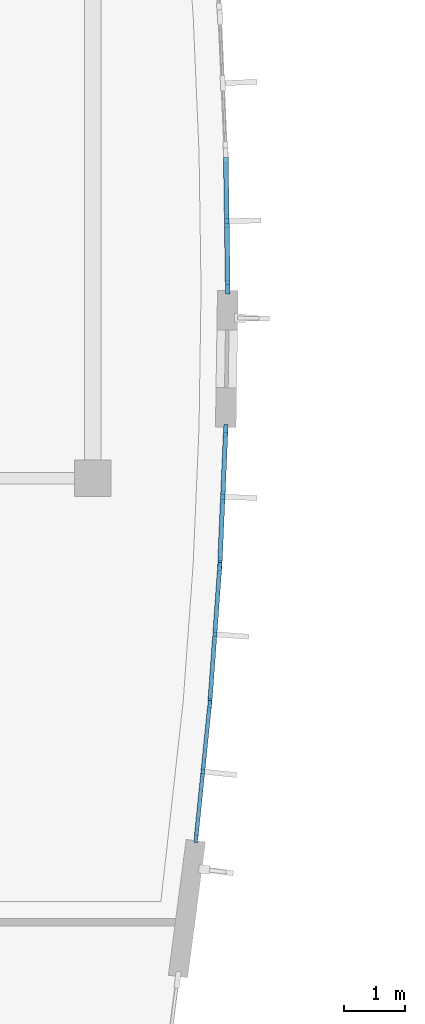
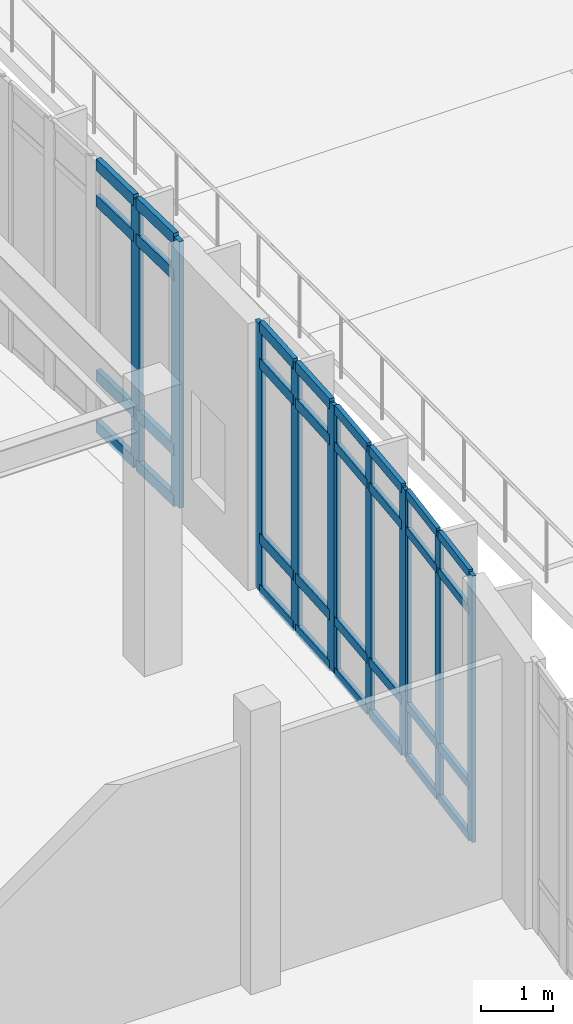
# One storey, part 43 of 120: 43 members, 4 elements without a shape of their own.
"""IFC4 building model written with IfcOpenShell, lengths in metres."""

from ifc_helpers import new_model, si_unit, direction, frame, origin, origin_2d, place, context, subcontext, project, spatial, rectangle, extrude, material, material_profile, profile_set, type_object, element, aggregate, save


model = new_model("IFC4")

# Units and contexts
model_context = context("Model", 3, precision=1e-05, world=origin(), true_north=direction((0.0, 1.0)))
body_context = subcontext(model_context, "Body", "Model", "MODEL_VIEW")
ifc_project = project(units=[si_unit("LENGTHUNIT", "METRE"), si_unit("AREAUNIT", "SQUARE_METRE"), si_unit("VOLUMEUNIT", "CUBIC_METRE"), si_unit("PLANEANGLEUNIT", "RADIAN"), si_unit("MASSUNIT", "GRAM", prefix="KILO")], contexts=[model_context])

# Site, building, storey
site_placement = place(None, origin())
site = spatial("IfcSite", under=ifc_project, at=site_placement, CompositionType="ELEMENT")
building_placement = place(site_placement, origin())
building = spatial("IfcBuilding", under=site, at=building_placement, Name="Corveleigh Park Community Centre", CompositionType="ELEMENT")
storey_placement = place(building_placement, origin())
storey = spatial("IfcBuildingStorey", under=building, at=storey_placement, Name="L00", CompositionType="ELEMENT", Elevation=0.0)

# Curtain wall, members
ifc_material = material(Name="Anodised aluminium 6063-T6", Category="aluminium")
curtain_wall_type = type_object("IfcCurtainWallType", Name="CW-SYS-V2-L00", PredefinedType="NOTDEFINED", material=ifc_material)
curtain_wall_1_placement = place(storey_placement, origin())
curtain_wall_1 = element("IfcCurtainWall", 1, at=curtain_wall_1_placement, inside=storey, type_object=curtain_wall_type, Name="V2 L00 Curtain Wall 37", PredefinedType="NOTDEFINED")
ifc_material_profile_1 = material_profile(ifc_material, rectangle(XDim=0.06005859375, YDim=0.159912109375, at=origin_2d()), Name="ALU-M60x160", Category="aluminium")
ifc_profile_set_1 = profile_set([ifc_material_profile_1], Name="Anodised aluminium 6063-T6")
member_type_1 = type_object("IfcMemberType", Name="CWM-60x160", PredefinedType="MULLION", material=ifc_profile_set_1)
member_1_placement = place(storey_placement, frame((56.321044921875, 89.066162109375, 0.0), z_axis=(0.0, 0.0, 1.0), x_axis=(0.9948506205, -0.101352073938, 0.0)))
member_1 = element("IfcMember", 2, at=member_1_placement, type_object=member_type_1, Name="CW03 mullion 1", PredefinedType="MULLION", context=body_context, shape_type="SweptSolid", body=[
    extrude(rectangle(XDim=0.06005859375, YDim=0.159912109375, at=origin_2d()), origin(), (0.0, 0.0, 1.0), 4.511962890625),
])
member_2_placement = place(storey_placement, frame((56.2099609375, 87.97705078125, 0.0), z_axis=(0.0, 0.0, 1.0), x_axis=(0.9948506205, -0.101352073938, 0.0)))
member_2 = element("IfcMember", 3, at=member_2_placement, type_object=member_type_1, Name="CW03 mullion 2", PredefinedType="MULLION", context=body_context, shape_type="SweptSolid", body=[
    extrude(rectangle(XDim=0.06005859375, YDim=0.159912109375, at=origin_2d()), origin(), (0.0, 0.0, 1.0), 4.511962890625),
])
member_3_placement = place(storey_placement, frame((56.09912109375, 86.887939453125, 0.0), z_axis=(0.0, 0.0, 1.0), x_axis=(0.9948506205, -0.101352073938, 0.0)))
member_3 = element("IfcMember", 4, at=member_3_placement, type_object=member_type_1, Name="CW03 mullion 3", PredefinedType="MULLION", context=body_context, shape_type="SweptSolid", body=[
    extrude(rectangle(XDim=0.06005859375, YDim=0.159912109375, at=origin_2d()), origin(), (0.0, 0.0, 1.0), 4.511962890625),
])

curtain_wall_2_placement = place(storey_placement, origin())
curtain_wall_2 = element("IfcCurtainWall", 5, at=curtain_wall_2_placement, inside=storey, type_object=curtain_wall_type, Name="V2 L00 Curtain Wall 38", PredefinedType="NOTDEFINED")
ifc_material_profile_2 = material_profile(ifc_material, rectangle(XDim=0.06494140625, YDim=0.179931640625, at=origin_2d()), Name="ALU-M65x180", Category="aluminium")
ifc_profile_set_2 = profile_set([ifc_material_profile_2], Name="Anodised aluminium 6063-T6")
member_type_2 = type_object("IfcMemberType", Name="CWM-65x180", PredefinedType="MULLION", material=ifc_profile_set_2)
member_4_placement = place(storey_placement, frame((56.485595703125, 91.32568359375, 0.0), z_axis=(0.0, 0.0, 1.0), x_axis=(0.997404262381, -0.072005120539, 0.0)))
member_4 = element("IfcMember", 6, at=member_4_placement, type_object=member_type_2, Name="CW03 mullion 1", PredefinedType="MULLION", context=body_context, shape_type="SweptSolid", body=[
    extrude(rectangle(XDim=0.06494140625, YDim=0.179931640625, at=origin_2d()), origin(), (0.0, 0.0, 1.0), 4.511962890625),
])
member_5_placement = place(storey_placement, frame((56.406982421875, 90.236083984375, 0.0), z_axis=(0.0, 0.0, 1.0), x_axis=(0.997404262381, -0.072005120539, 0.0)))
member_5 = element("IfcMember", 7, at=member_5_placement, type_object=member_type_2, Name="CW03 mullion 2", PredefinedType="MULLION", context=body_context, shape_type="SweptSolid", body=[
    extrude(rectangle(XDim=0.06494140625, YDim=0.179931640625, at=origin_2d()), origin(), (0.0, 0.0, 1.0), 4.511962890625),
])
member_6_placement = place(storey_placement, frame((56.328369140625, 89.146484375, 0.0), z_axis=(0.0, 0.0, 1.0), x_axis=(0.997404262381, -0.072005120539, 0.0)))
member_6 = element("IfcMember", 8, at=member_6_placement, type_object=member_type_2, Name="CW03 mullion 3", PredefinedType="MULLION", context=body_context, shape_type="SweptSolid", body=[
    extrude(rectangle(XDim=0.06494140625, YDim=0.179931640625, at=origin_2d()), origin(), (0.0, 0.0, 1.0), 4.511962890625),
])

curtain_wall_3_placement = place(storey_placement, origin())
curtain_wall_3 = element("IfcCurtainWall", 9, at=curtain_wall_3_placement, inside=storey, type_object=curtain_wall_type, Name="V2 L00 Curtain Wall 39", PredefinedType="NOTDEFINED")
ifc_material_profile_3 = material_profile(ifc_material, rectangle(XDim=0.070068359375, YDim=0.199951171875, at=origin_2d()), Name="ALU-M70x200", Category="aluminium")
ifc_profile_set_3 = profile_set([ifc_material_profile_3], Name="Anodised aluminium 6063-T6")
member_type_3 = type_object("IfcMemberType", Name="CWM-70x200", PredefinedType="MULLION", material=ifc_profile_set_3)
member_7_placement = place(storey_placement, frame((56.58544921875, 93.588134765625, 0.0), z_axis=(0.0, 0.0, 1.0), x_axis=(0.99905027695, -0.043572286221, 0.0)))
member_7 = element("IfcMember", 10, at=member_7_placement, type_object=member_type_3, Name="CW03 mullion 1", PredefinedType="MULLION", context=body_context, shape_type="SweptSolid", body=[
    extrude(rectangle(XDim=0.070068359375, YDim=0.199951171875, at=origin_2d()), origin(), (0.0, 0.0, 1.0), 4.511962890625),
])
member_8_placement = place(storey_placement, frame((56.5380859375, 92.49951171875, 0.0), z_axis=(0.0, 0.0, 1.0), x_axis=(0.99905027695, -0.043572286221, 0.0)))
member_8 = element("IfcMember", 11, at=member_8_placement, type_object=member_type_3, Name="CW03 mullion 2", PredefinedType="MULLION", context=body_context, shape_type="SweptSolid", body=[
    extrude(rectangle(XDim=0.070068359375, YDim=0.199951171875, at=origin_2d()), origin(), (0.0, 0.0, 1.0), 4.511962890625),
])
member_9_placement = place(storey_placement, frame((56.490478515625, 91.410888671875, 0.0), z_axis=(0.0, 0.0, 1.0), x_axis=(0.99905027695, -0.043572286221, 0.0)))
member_9 = element("IfcMember", 12, at=member_9_placement, type_object=member_type_3, Name="CW03 mullion 3", PredefinedType="MULLION", context=body_context, shape_type="SweptSolid", body=[
    extrude(rectangle(XDim=0.070068359375, YDim=0.199951171875, at=origin_2d()), origin(), (0.0, 0.0, 1.0), 4.511962890625),
])

curtain_wall_4_placement = place(storey_placement, origin())
curtain_wall_4 = element("IfcCurtainWall", 13, at=curtain_wall_4_placement, inside=storey, type_object=curtain_wall_type, Name="V2 L00 Curtain Wall 40", PredefinedType="NOTDEFINED")
ifc_material_profile_4 = material_profile(ifc_material, rectangle(XDim=0.074951171875, YDim=0.219970703125, at=origin_2d()), Name="ALU-M75x220", Category="aluminium")
ifc_profile_set_4 = profile_set([ifc_material_profile_4], Name="Anodised aluminium 6063-T6")
member_type_4 = type_object("IfcMemberType", Name="CWM-75x220", PredefinedType="MULLION", material=ifc_profile_set_4)
member_10_placement = place(storey_placement, frame((56.603515625, 97.033935546875, 0.0), z_axis=(0.0, 0.0, 1.0), x_axis=(0.999892461794, 0.014665089441, 0.0)))
member_10 = element("IfcMember", 14, at=member_10_placement, type_object=member_type_4, Name="CW03 mullion 2", PredefinedType="MULLION", context=body_context, shape_type="SweptSolid", body=[
    extrude(rectangle(XDim=0.074951171875, YDim=0.219970703125, at=origin_2d()), origin(), (0.0, 0.0, 1.0), 4.511962890625),
])
member_11_placement = place(storey_placement, frame((56.619384765625, 95.946533203125, 0.0), z_axis=(0.0, 0.0, 1.0), x_axis=(0.999892461794, 0.014665089441, 0.0)))
member_11 = element("IfcMember", 15, at=member_11_placement, type_object=member_type_4, Name="CW03 mullion 3", PredefinedType="MULLION", context=body_context, shape_type="SweptSolid", body=[
    extrude(rectangle(XDim=0.074951171875, YDim=0.219970703125, at=origin_2d()), origin(), (0.0, 0.0, 1.0), 4.511962890625),
])

# Member
ifc_material_profile_5 = material_profile(ifc_material, rectangle(XDim=0.06494140625, YDim=0.139892578125, at=origin_2d()), Name="ALU-T65x140", Category="aluminium")
ifc_profile_set_5 = profile_set([ifc_material_profile_5], Name="Anodised aluminium 6063-T6")
member_type_5 = type_object("IfcMemberType", Name="CWT-65x140", PredefinedType="USERDEFINED", material=ifc_profile_set_5)
member_12_placement = place(storey_placement, frame((56.31787109375, 89.036376953125, 0.032470703125), z_axis=(-0.101208721121, -0.994865214373, 0.0), x_axis=(0.994865214373, -0.101208721121, 0.0)))
member_12 = element("IfcMember", 16, at=member_12_placement, type_object=member_type_5, Name="CW03 transom 1.1", ObjectType="TRANSOM", PredefinedType="USERDEFINED", context=body_context, shape_type="SweptSolid", body=[
    extrude(rectangle(XDim=0.06494140625, YDim=0.139892578125, at=origin_2d()), origin(), (0.0, 0.0, 1.0), 1.034912109375),
])

member_13_placement = place(storey_placement, frame((56.31787109375, 89.036376953125, 0.89990234375), z_axis=(-0.101208721121, -0.994865214373, 0.0), x_axis=(0.994865214373, -0.101208721121, 0.0)))
member_13 = element("IfcMember", 17, at=member_13_placement, type_object=member_type_5, Name="CW03 transom 1.2", ObjectType="TRANSOM", PredefinedType="USERDEFINED", context=body_context, shape_type="SweptSolid", body=[
    extrude(rectangle(XDim=0.06494140625, YDim=0.139892578125, at=origin_2d()), origin(), (0.0, 0.0, 1.0), 1.034912109375),
])

member_14_placement = place(storey_placement, frame((56.31787109375, 89.036376953125, 3.862060546875), z_axis=(-0.101208721121, -0.994865214373, 0.0), x_axis=(0.994865214373, -0.101208721121, 0.0)))
member_14 = element("IfcMember", 18, at=member_14_placement, type_object=member_type_5, Name="CW03 transom 1.3", ObjectType="TRANSOM", PredefinedType="USERDEFINED", context=body_context, shape_type="SweptSolid", body=[
    extrude(rectangle(XDim=0.06494140625, YDim=0.139892578125, at=origin_2d()), origin(), (0.0, 0.0, 1.0), 1.034912109375),
])

member_15_placement = place(storey_placement, frame((56.31787109375, 89.036376953125, 4.4794921875), z_axis=(-0.101208721121, -0.994865214373, 0.0), x_axis=(0.994865214373, -0.101208721121, 0.0)))
member_15 = element("IfcMember", 19, at=member_15_placement, type_object=member_type_5, Name="CW03 transom 1.4", ObjectType="TRANSOM", PredefinedType="USERDEFINED", context=body_context, shape_type="SweptSolid", body=[
    extrude(rectangle(XDim=0.06494140625, YDim=0.139892578125, at=origin_2d()), origin(), (0.0, 0.0, 1.0), 1.034912109375),
])

member_16_placement = place(storey_placement, frame((56.20703125, 87.947265625, 0.032470703125), z_axis=(-0.101442213962, -0.994841433208, 0.0), x_axis=(0.994841433208, -0.101442213962, 0.0)))
member_16 = element("IfcMember", 20, at=member_16_placement, type_object=member_type_5, Name="CW03 transom 2.1", ObjectType="TRANSOM", PredefinedType="USERDEFINED", context=body_context, shape_type="SweptSolid", body=[
    extrude(rectangle(XDim=0.06494140625, YDim=0.139892578125, at=origin_2d()), origin(), (0.0, 0.0, 1.0), 1.034912109375),
])

member_17_placement = place(storey_placement, frame((56.20703125, 87.947265625, 0.89990234375), z_axis=(-0.101442213962, -0.994841433208, 0.0), x_axis=(0.994841433208, -0.101442213962, 0.0)))
member_17 = element("IfcMember", 21, at=member_17_placement, type_object=member_type_5, Name="CW03 transom 2.2", ObjectType="TRANSOM", PredefinedType="USERDEFINED", context=body_context, shape_type="SweptSolid", body=[
    extrude(rectangle(XDim=0.06494140625, YDim=0.139892578125, at=origin_2d()), origin(), (0.0, 0.0, 1.0), 1.034912109375),
])

member_18_placement = place(storey_placement, frame((56.20703125, 87.947265625, 3.862060546875), z_axis=(-0.101442213962, -0.994841433208, 0.0), x_axis=(0.994841433208, -0.101442213962, 0.0)))
member_18 = element("IfcMember", 22, at=member_18_placement, type_object=member_type_5, Name="CW03 transom 2.3", ObjectType="TRANSOM", PredefinedType="USERDEFINED", context=body_context, shape_type="SweptSolid", body=[
    extrude(rectangle(XDim=0.06494140625, YDim=0.139892578125, at=origin_2d()), origin(), (0.0, 0.0, 1.0), 1.034912109375),
])

member_19_placement = place(storey_placement, frame((56.20703125, 87.947265625, 4.4794921875), z_axis=(-0.101442213962, -0.994841433208, 0.0), x_axis=(0.994841433208, -0.101442213962, 0.0)))
member_19 = element("IfcMember", 23, at=member_19_placement, type_object=member_type_5, Name="CW03 transom 2.4", ObjectType="TRANSOM", PredefinedType="USERDEFINED", context=body_context, shape_type="SweptSolid", body=[
    extrude(rectangle(XDim=0.06494140625, YDim=0.139892578125, at=origin_2d()), origin(), (0.0, 0.0, 1.0), 1.034912109375),
])

aggregate(curtain_wall_1, [member_1, member_2, member_3, member_12, member_13, member_14, member_15, member_16, member_17, member_18, member_19])

ifc_material_profile_6 = material_profile(ifc_material, rectangle(XDim=0.070068359375, YDim=0.155029296875, at=origin_2d()), Name="ALU-T70x155", Category="aluminium")
ifc_profile_set_6 = profile_set([ifc_material_profile_6], Name="Anodised aluminium 6063-T6")
member_type_6 = type_object("IfcMemberType", Name="CWT-70x155", PredefinedType="USERDEFINED", material=ifc_profile_set_6)
member_20_placement = place(storey_placement, frame((56.4833984375, 91.293212890625, 0.034912109375), z_axis=(-0.071989953131, -0.997405357239, 0.0), x_axis=(0.997405357239, -0.071989953131, 0.0)))
member_20 = element("IfcMember", 24, at=member_20_placement, type_object=member_type_6, Name="CW03 transom 1.1", ObjectType="TRANSOM", PredefinedType="USERDEFINED", context=body_context, shape_type="SweptSolid", body=[
    extrude(rectangle(XDim=0.070068359375, YDim=0.155029296875, at=origin_2d()), origin(), (0.0, 0.0, 1.0), 1.027587890625),
])

member_21_placement = place(storey_placement, frame((56.4833984375, 91.293212890625, 0.89990234375), z_axis=(-0.071989953131, -0.997405357239, 0.0), x_axis=(0.997405357239, -0.071989953131, 0.0)))
member_21 = element("IfcMember", 25, at=member_21_placement, type_object=member_type_6, Name="CW03 transom 1.2", ObjectType="TRANSOM", PredefinedType="USERDEFINED", context=body_context, shape_type="SweptSolid", body=[
    extrude(rectangle(XDim=0.070068359375, YDim=0.155029296875, at=origin_2d()), origin(), (0.0, 0.0, 1.0), 1.027587890625),
])

member_22_placement = place(storey_placement, frame((56.4833984375, 91.293212890625, 3.862060546875), z_axis=(-0.071989953131, -0.997405357239, 0.0), x_axis=(0.997405357239, -0.071989953131, 0.0)))
member_22 = element("IfcMember", 26, at=member_22_placement, type_object=member_type_6, Name="CW03 transom 1.3", ObjectType="TRANSOM", PredefinedType="USERDEFINED", context=body_context, shape_type="SweptSolid", body=[
    extrude(rectangle(XDim=0.070068359375, YDim=0.155029296875, at=origin_2d()), origin(), (0.0, 0.0, 1.0), 1.027587890625),
])

member_23_placement = place(storey_placement, frame((56.4833984375, 91.293212890625, 4.47705078125), z_axis=(-0.071989953131, -0.997405357239, 0.0), x_axis=(0.997405357239, -0.071989953131, 0.0)))
member_23 = element("IfcMember", 27, at=member_23_placement, type_object=member_type_6, Name="CW03 transom 1.4", ObjectType="TRANSOM", PredefinedType="USERDEFINED", context=body_context, shape_type="SweptSolid", body=[
    extrude(rectangle(XDim=0.070068359375, YDim=0.155029296875, at=origin_2d()), origin(), (0.0, 0.0, 1.0), 1.027587890625),
])

member_24_placement = place(storey_placement, frame((56.404541015625, 90.20361328125, 0.034912109375), z_axis=(-0.071989953131, -0.997405357239, 0.0), x_axis=(0.997405357239, -0.071989953131, 0.0)))
member_24 = element("IfcMember", 28, at=member_24_placement, type_object=member_type_6, Name="CW03 transom 2.1", ObjectType="TRANSOM", PredefinedType="USERDEFINED", context=body_context, shape_type="SweptSolid", body=[
    extrude(rectangle(XDim=0.070068359375, YDim=0.155029296875, at=origin_2d()), origin(), (0.0, 0.0, 1.0), 1.027587890625),
])

member_25_placement = place(storey_placement, frame((56.404541015625, 90.20361328125, 0.89990234375), z_axis=(-0.071989953131, -0.997405357239, 0.0), x_axis=(0.997405357239, -0.071989953131, 0.0)))
member_25 = element("IfcMember", 29, at=member_25_placement, type_object=member_type_6, Name="CW03 transom 2.2", ObjectType="TRANSOM", PredefinedType="USERDEFINED", context=body_context, shape_type="SweptSolid", body=[
    extrude(rectangle(XDim=0.070068359375, YDim=0.155029296875, at=origin_2d()), origin(), (0.0, 0.0, 1.0), 1.027587890625),
])

member_26_placement = place(storey_placement, frame((56.404541015625, 90.20361328125, 3.862060546875), z_axis=(-0.071989953131, -0.997405357239, 0.0), x_axis=(0.997405357239, -0.071989953131, 0.0)))
member_26 = element("IfcMember", 30, at=member_26_placement, type_object=member_type_6, Name="CW03 transom 2.3", ObjectType="TRANSOM", PredefinedType="USERDEFINED", context=body_context, shape_type="SweptSolid", body=[
    extrude(rectangle(XDim=0.070068359375, YDim=0.155029296875, at=origin_2d()), origin(), (0.0, 0.0, 1.0), 1.027587890625),
])

member_27_placement = place(storey_placement, frame((56.404541015625, 90.20361328125, 4.47705078125), z_axis=(-0.071989953131, -0.997405357239, 0.0), x_axis=(0.997405357239, -0.071989953131, 0.0)))
member_27 = element("IfcMember", 31, at=member_27_placement, type_object=member_type_6, Name="CW03 transom 2.4", ObjectType="TRANSOM", PredefinedType="USERDEFINED", context=body_context, shape_type="SweptSolid", body=[
    extrude(rectangle(XDim=0.070068359375, YDim=0.155029296875, at=origin_2d()), origin(), (0.0, 0.0, 1.0), 1.027587890625),
])

aggregate(curtain_wall_2, [member_4, member_5, member_6, member_20, member_21, member_22, member_23, member_24, member_25, member_26, member_27])

ifc_material_profile_7 = material_profile(ifc_material, rectangle(XDim=0.074951171875, YDim=0.175048828125, at=origin_2d()), Name="ALU-T75x175", Category="aluminium")
ifc_profile_set_7 = profile_set([ifc_material_profile_7], Name="Anodised aluminium 6063-T6")
member_type_7 = type_object("IfcMemberType", Name="CWT-75x175", PredefinedType="USERDEFINED", material=ifc_profile_set_7)
member_28_placement = place(storey_placement, frame((56.583984375, 93.552978515625, 0.03759765625), z_axis=(-0.043582710367, -0.99904982226, 0.0), x_axis=(0.99904982226, -0.043582710367, 0.0)))
member_28 = element("IfcMember", 32, at=member_28_placement, type_object=member_type_7, Name="CW03 transom 1.1", ObjectType="TRANSOM", PredefinedType="USERDEFINED", context=body_context, shape_type="SweptSolid", body=[
    extrude(rectangle(XDim=0.074951171875, YDim=0.175048828125, at=origin_2d()), origin(), (0.0, 0.0, 1.0), 1.01953125),
])

member_29_placement = place(storey_placement, frame((56.583984375, 93.552978515625, 0.89990234375), z_axis=(-0.043582710367, -0.99904982226, 0.0), x_axis=(0.99904982226, -0.043582710367, 0.0)))
member_29 = element("IfcMember", 33, at=member_29_placement, type_object=member_type_7, Name="CW03 transom 1.2", ObjectType="TRANSOM", PredefinedType="USERDEFINED", context=body_context, shape_type="SweptSolid", body=[
    extrude(rectangle(XDim=0.074951171875, YDim=0.175048828125, at=origin_2d()), origin(), (0.0, 0.0, 1.0), 1.01953125),
])

member_30_placement = place(storey_placement, frame((56.583984375, 93.552978515625, 3.862060546875), z_axis=(-0.043582710367, -0.99904982226, 0.0), x_axis=(0.99904982226, -0.043582710367, 0.0)))
member_30 = element("IfcMember", 34, at=member_30_placement, type_object=member_type_7, Name="CW03 transom 1.3", ObjectType="TRANSOM", PredefinedType="USERDEFINED", context=body_context, shape_type="SweptSolid", body=[
    extrude(rectangle(XDim=0.074951171875, YDim=0.175048828125, at=origin_2d()), origin(), (0.0, 0.0, 1.0), 1.01953125),
])

member_31_placement = place(storey_placement, frame((56.583984375, 93.552978515625, 4.474609375), z_axis=(-0.043582710367, -0.99904982226, 0.0), x_axis=(0.99904982226, -0.043582710367, 0.0)))
member_31 = element("IfcMember", 35, at=member_31_placement, type_object=member_type_7, Name="CW03 transom 1.4", ObjectType="TRANSOM", PredefinedType="USERDEFINED", context=body_context, shape_type="SweptSolid", body=[
    extrude(rectangle(XDim=0.074951171875, YDim=0.175048828125, at=origin_2d()), origin(), (0.0, 0.0, 1.0), 1.01953125),
])

member_32_placement = place(storey_placement, frame((56.536376953125, 92.464599609375, 0.03759765625), z_axis=(-0.043582710367, -0.99904982226, 0.0), x_axis=(0.99904982226, -0.043582710367, 0.0)))
member_32 = element("IfcMember", 36, at=member_32_placement, type_object=member_type_7, Name="CW03 transom 2.1", ObjectType="TRANSOM", PredefinedType="USERDEFINED", context=body_context, shape_type="SweptSolid", body=[
    extrude(rectangle(XDim=0.074951171875, YDim=0.175048828125, at=origin_2d()), origin(), (0.0, 0.0, 1.0), 1.01953125),
])

member_33_placement = place(storey_placement, frame((56.536376953125, 92.464599609375, 0.89990234375), z_axis=(-0.043582710367, -0.99904982226, 0.0), x_axis=(0.99904982226, -0.043582710367, 0.0)))
member_33 = element("IfcMember", 37, at=member_33_placement, type_object=member_type_7, Name="CW03 transom 2.2", ObjectType="TRANSOM", PredefinedType="USERDEFINED", context=body_context, shape_type="SweptSolid", body=[
    extrude(rectangle(XDim=0.074951171875, YDim=0.175048828125, at=origin_2d()), origin(), (0.0, 0.0, 1.0), 1.01953125),
])

member_34_placement = place(storey_placement, frame((56.536376953125, 92.464599609375, 3.862060546875), z_axis=(-0.043582710367, -0.99904982226, 0.0), x_axis=(0.99904982226, -0.043582710367, 0.0)))
member_34 = element("IfcMember", 38, at=member_34_placement, type_object=member_type_7, Name="CW03 transom 2.3", ObjectType="TRANSOM", PredefinedType="USERDEFINED", context=body_context, shape_type="SweptSolid", body=[
    extrude(rectangle(XDim=0.074951171875, YDim=0.175048828125, at=origin_2d()), origin(), (0.0, 0.0, 1.0), 1.01953125),
])

member_35_placement = place(storey_placement, frame((56.536376953125, 92.464599609375, 4.474609375), z_axis=(-0.043582710367, -0.99904982226, 0.0), x_axis=(0.99904982226, -0.043582710367, 0.0)))
member_35 = element("IfcMember", 39, at=member_35_placement, type_object=member_type_7, Name="CW03 transom 2.4", ObjectType="TRANSOM", PredefinedType="USERDEFINED", context=body_context, shape_type="SweptSolid", body=[
    extrude(rectangle(XDim=0.074951171875, YDim=0.175048828125, at=origin_2d()), origin(), (0.0, 0.0, 1.0), 1.01953125),
])

aggregate(curtain_wall_3, [member_7, member_8, member_9, member_28, member_29, member_30, member_31, member_32, member_33, member_34, member_35])

ifc_material_profile_8 = material_profile(ifc_material, rectangle(XDim=0.080078125, YDim=0.195068359375, at=origin_2d()), Name="ALU-T80x195", Category="aluminium")
ifc_profile_set_8 = profile_set([ifc_material_profile_8], Name="Anodised aluminium 6063-T6")
member_type_8 = type_object("IfcMemberType", Name="CWT-80x195", PredefinedType="USERDEFINED", material=ifc_profile_set_8)
member_36_placement = place(storey_placement, frame((56.588134765625, 98.083984375, 0.0400390625), z_axis=(0.014707837441, -0.999891833909, 0.0), x_axis=(0.999891833909, 0.014707837441, 0.0)))
member_36 = element("IfcMember", 40, at=member_36_placement, type_object=member_type_8, Name="CW03 transom 1.1", ObjectType="TRANSOM", PredefinedType="USERDEFINED", context=body_context, shape_type="SweptSolid", body=[
    extrude(rectangle(XDim=0.080078125, YDim=0.195068359375, at=origin_2d()), origin(), (0.0, 0.0, 1.0), 1.012451171875),
])

member_37_placement = place(storey_placement, frame((56.588134765625, 98.083984375, 0.89990234375), z_axis=(0.014707837441, -0.999891833909, 0.0), x_axis=(0.999891833909, 0.014707837441, 0.0)))
member_37 = element("IfcMember", 41, at=member_37_placement, type_object=member_type_8, Name="CW03 transom 1.2", ObjectType="TRANSOM", PredefinedType="USERDEFINED", context=body_context, shape_type="SweptSolid", body=[
    extrude(rectangle(XDim=0.080078125, YDim=0.195068359375, at=origin_2d()), origin(), (0.0, 0.0, 1.0), 1.012451171875),
])

member_38_placement = place(storey_placement, frame((56.588134765625, 98.083984375, 3.862060546875), z_axis=(0.014707837441, -0.999891833909, 0.0), x_axis=(0.999891833909, 0.014707837441, 0.0)))
member_38 = element("IfcMember", 42, at=member_38_placement, type_object=member_type_8, Name="CW03 transom 1.3", ObjectType="TRANSOM", PredefinedType="USERDEFINED", context=body_context, shape_type="SweptSolid", body=[
    extrude(rectangle(XDim=0.080078125, YDim=0.195068359375, at=origin_2d()), origin(), (0.0, 0.0, 1.0), 1.012451171875),
])

member_39_placement = place(storey_placement, frame((56.588134765625, 98.083984375, 4.471923828125), z_axis=(0.014707837441, -0.999891833909, 0.0), x_axis=(0.999891833909, 0.014707837441, 0.0)))
member_39 = element("IfcMember", 43, at=member_39_placement, type_object=member_type_8, Name="CW03 transom 1.4", ObjectType="TRANSOM", PredefinedType="USERDEFINED", context=body_context, shape_type="SweptSolid", body=[
    extrude(rectangle(XDim=0.080078125, YDim=0.195068359375, at=origin_2d()), origin(), (0.0, 0.0, 1.0), 1.012451171875),
])

member_40_placement = place(storey_placement, frame((56.60400390625, 96.99658203125, 0.0400390625), z_axis=(0.014704292442, -0.999891886048, 0.0), x_axis=(0.999891886048, 0.014704292442, 0.0)))
member_40 = element("IfcMember", 44, at=member_40_placement, type_object=member_type_8, Name="CW03 transom 2.1", ObjectType="TRANSOM", PredefinedType="USERDEFINED", context=body_context, shape_type="SweptSolid", body=[
    extrude(rectangle(XDim=0.080078125, YDim=0.195068359375, at=origin_2d()), origin(), (0.0, 0.0, 1.0), 1.0126953125),
])

member_41_placement = place(storey_placement, frame((56.60400390625, 96.99658203125, 0.89990234375), z_axis=(0.014704292442, -0.999891886048, 0.0), x_axis=(0.999891886048, 0.014704292442, 0.0)))
member_41 = element("IfcMember", 45, at=member_41_placement, type_object=member_type_8, Name="CW03 transom 2.2", ObjectType="TRANSOM", PredefinedType="USERDEFINED", context=body_context, shape_type="SweptSolid", body=[
    extrude(rectangle(XDim=0.080078125, YDim=0.195068359375, at=origin_2d()), origin(), (0.0, 0.0, 1.0), 1.0126953125),
])

member_42_placement = place(storey_placement, frame((56.60400390625, 96.99658203125, 3.862060546875), z_axis=(0.014704292442, -0.999891886048, 0.0), x_axis=(0.999891886048, 0.014704292442, 0.0)))
member_42 = element("IfcMember", 46, at=member_42_placement, type_object=member_type_8, Name="CW03 transom 2.3", ObjectType="TRANSOM", PredefinedType="USERDEFINED", context=body_context, shape_type="SweptSolid", body=[
    extrude(rectangle(XDim=0.080078125, YDim=0.195068359375, at=origin_2d()), origin(), (0.0, 0.0, 1.0), 1.0126953125),
])

member_43_placement = place(storey_placement, frame((56.60400390625, 96.99658203125, 4.471923828125), z_axis=(0.014704292442, -0.999891886048, 0.0), x_axis=(0.999891886048, 0.014704292442, 0.0)))
member_43 = element("IfcMember", 47, at=member_43_placement, type_object=member_type_8, Name="CW03 transom 2.4", ObjectType="TRANSOM", PredefinedType="USERDEFINED", context=body_context, shape_type="SweptSolid", body=[
    extrude(rectangle(XDim=0.080078125, YDim=0.195068359375, at=origin_2d()), origin(), (0.0, 0.0, 1.0), 1.0126953125),
])

aggregate(curtain_wall_4, [member_10, member_11, member_36, member_37, member_38, member_39, member_40, member_41, member_42, member_43])

save(model, "model.ifc")
